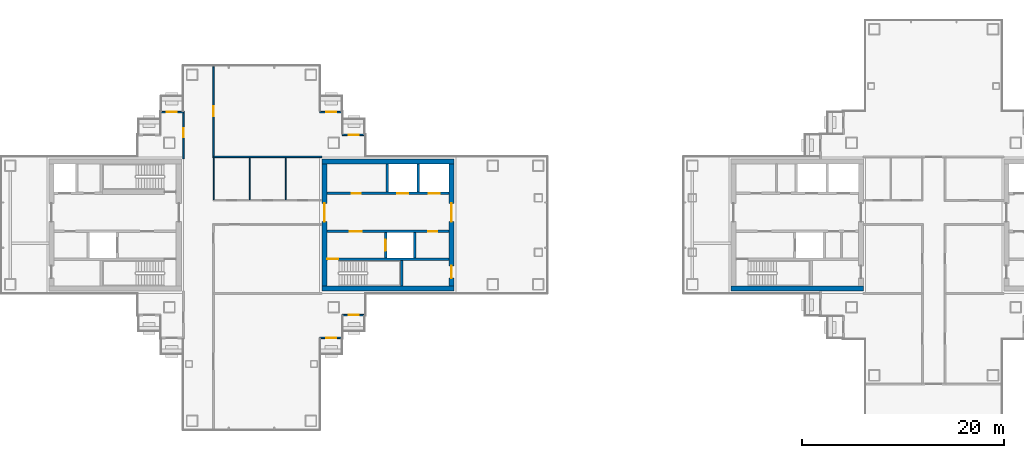
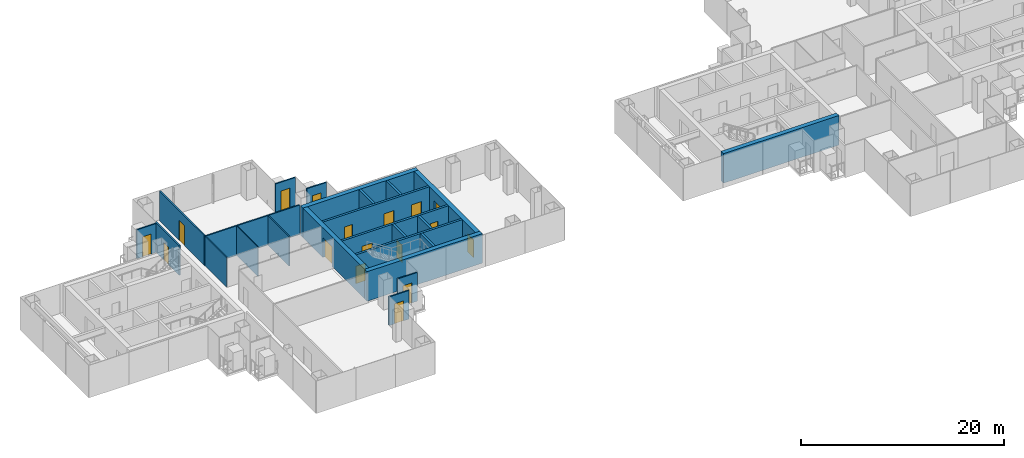
# One storey, part 10 of 17: 24 walls, 17 doors, 17 openings.
"""IFC4 building model written with IfcOpenShell, lengths in metres."""

from ifc_helpers import new_model, si_unit, direction, frame, frame_2d, origin, place, context, subcontext, project, spatial, rectangle, extrude, material, layer, layer_set, type_object, element, fill, save


model = new_model("IFC4")

# Units and contexts
model_context = context("Model", 3, precision=1e-05, world=origin(), true_north=direction((0.0, 1.0)))
body_context = subcontext(model_context, "Body", "Model", "MODEL_VIEW")
ifc_project = project(units=[si_unit("LENGTHUNIT", "METRE"), si_unit("AREAUNIT", "SQUARE_METRE"), si_unit("VOLUMEUNIT", "CUBIC_METRE"), si_unit("PLANEANGLEUNIT", "RADIAN"), si_unit("MASSUNIT", "GRAM", prefix="KILO")], contexts=[model_context])

# Site, building, storey
site_placement = place(None, origin())
site = spatial("IfcSite", under=ifc_project, at=site_placement, CompositionType="ELEMENT")
building_placement = place(site_placement, origin())
building = spatial("IfcBuilding", under=site, at=building_placement, Name="Shamsa Quay Exchange Towers", CompositionType="ELEMENT")
storey_placement = place(building_placement, frame((0.0, 0.0, 170.10009765625)))
storey = spatial("IfcBuildingStorey", under=building, at=storey_placement, Name="L40", CompositionType="ELEMENT", Elevation=170.10009765625)

# Wall, opening, door
ifc_material_1 = material(Name="Aluminium EN AW-6063 T6, black anodised, with black enamelled glass infill", Category="aluminium")
ifc_layer_1 = layer(ifc_material_1, 0.14990234375)
ifc_layer_set_1 = layer_set([ifc_layer_1], Name="BALCONY DOOR BAY WALL 150")
wall_type_1 = type_object("IfcWallType", Name="BALCONY DOOR BAY WALL 150", PredefinedType="SOLIDWALL", material=ifc_layer_set_1)
wall_1_placement = place(storey_placement, frame((-24.75, 8.925048828125, 0.0)))
wall_1 = element("IfcWall", 1, at=wall_1_placement, inside=storey, type_object=wall_type_1, Name="Door bay T1-PKEN L40", PredefinedType="SOLIDWALL", context=body_context, shape_type="SweptSolid", body=[
    extrude(rectangle(XDim=2.25, YDim=0.14990234375, at=frame_2d((1.125, 0.0))), origin(), (0.0, 0.0, 1.0), 3.449951171875),
])
opening_1_placement = place(wall_1_placement, frame((0.625, 0.0, 0.0)))
opening_1 = element("IfcOpeningElement", 2, at=opening_1_placement, cuts=wall_1, Name="Opening XD241", PredefinedType="OPENING", context=body_context, shape_type="SweptSolid", body=[
    extrude(rectangle(XDim=1.0, YDim=2.39990234375, at=frame_2d((0.5, 1.199951171875))), frame((0.0, 0.0849609375, 0.0), z_axis=(0.0, -1.0, 0.0), x_axis=(1.0, 0.0, 0.0)), (0.0, 0.0, 1.0), 0.169921875),
])
ifc_material_2 = material(Name="Aluminium EN AW-6063 T6, black anodised, with laminated glass leaf", Category="aluminium")
door_type_1 = type_object("IfcDoorType", Name="BALCONY DOOR 1000x2400", OperationType="SINGLE_SWING_LEFT", PredefinedType="DOOR", material=ifc_material_2)
door_1_placement = place(opening_1_placement, origin())
door_1 = element("IfcDoor", 3, at=door_1_placement, inside=storey, type_object=door_type_1, Name="Balcony door T1-PKEN L40", OperationType="SINGLE_SWING_RIGHT", OverallHeight=2.39990234375, OverallWidth=1.0, PredefinedType="DOOR", context=body_context, shape_type="SweptSolid", body=[
    extrude(rectangle(XDim=1.0, YDim=2.39990234375, at=frame_2d((0.5, 1.199951171875))), frame((0.0, 0.02490234375, 0.0), z_axis=(0.0, -1.0, 0.0), x_axis=(1.0, 0.0, 0.0)), (0.0, 0.0, 1.0), 0.050048828125),
])
fill(opening_1, door_1)

wall_2_placement = place(storey_placement, frame((-27.0, 11.175048828125, 0.0)))
wall_2 = element("IfcWall", 4, at=wall_2_placement, inside=storey, type_object=wall_type_1, Name="Door bay T1-PKEN L40", PredefinedType="SOLIDWALL", context=body_context, shape_type="SweptSolid", body=[
    extrude(rectangle(XDim=2.25, YDim=0.14990234375, at=frame_2d((1.125, 0.0))), origin(), (0.0, 0.0, 1.0), 3.449951171875),
])
opening_2_placement = place(wall_2_placement, frame((0.625, 0.0, 0.0)))
opening_2 = element("IfcOpeningElement", 5, at=opening_2_placement, cuts=wall_2, Name="Opening XD242", PredefinedType="OPENING", context=body_context, shape_type="SweptSolid", body=[
    extrude(rectangle(XDim=1.0, YDim=2.39990234375, at=frame_2d((0.5, 1.199951171875))), frame((0.0, 0.0849609375, 0.0), z_axis=(0.0, -1.0, 0.0), x_axis=(1.0, 0.0, 0.0)), (0.0, 0.0, 1.0), 0.169921875),
])
door_2_placement = place(opening_2_placement, origin())
door_2 = element("IfcDoor", 6, at=door_2_placement, inside=storey, type_object=door_type_1, Name="Balcony door T1-PKEN L40", OperationType="SINGLE_SWING_LEFT", OverallHeight=2.39990234375, OverallWidth=1.0, PredefinedType="DOOR", context=body_context, shape_type="SweptSolid", body=[
    extrude(rectangle(XDim=1.0, YDim=2.39990234375, at=frame_2d((0.5, 1.199951171875))), frame((0.0, 0.02490234375, 0.0), z_axis=(0.0, -1.0, 0.0), x_axis=(1.0, 0.0, 0.0)), (0.0, 0.0, 1.0), 0.050048828125),
])
fill(opening_2, door_2)

wall_3_placement = place(storey_placement, frame((-22.5, -8.925048828125, 0.0), z_axis=(0.0, 0.0, 1.0), x_axis=(-1.0, 0.0, 0.0)))
wall_3 = element("IfcWall", 7, at=wall_3_placement, inside=storey, type_object=wall_type_1, Name="Door bay T1-PKES L40", PredefinedType="SOLIDWALL", context=body_context, shape_type="SweptSolid", body=[
    extrude(rectangle(XDim=2.25, YDim=0.14990234375, at=frame_2d((1.125, 0.0))), origin(), (0.0, 0.0, 1.0), 3.449951171875),
])
opening_3_placement = place(wall_3_placement, frame((0.625, 0.0, 0.0)))
opening_3 = element("IfcOpeningElement", 8, at=opening_3_placement, cuts=wall_3, Name="Opening XD243", PredefinedType="OPENING", context=body_context, shape_type="SweptSolid", body=[
    extrude(rectangle(XDim=1.0, YDim=2.39990234375, at=frame_2d((0.5, 1.199951171875))), frame((0.0, 0.0849609375, 0.0), z_axis=(0.0, -1.0, 0.0), x_axis=(1.0, 0.0, 0.0)), (0.0, 0.0, 1.0), 0.169921875),
])
door_3_placement = place(opening_3_placement, origin())
door_3 = element("IfcDoor", 9, at=door_3_placement, inside=storey, type_object=door_type_1, Name="Balcony door T1-PKES L40", OperationType="SINGLE_SWING_RIGHT", OverallHeight=2.39990234375, OverallWidth=1.0, PredefinedType="DOOR", context=body_context, shape_type="SweptSolid", body=[
    extrude(rectangle(XDim=1.0, YDim=2.39990234375, at=frame_2d((0.5, 1.199951171875))), frame((0.0, 0.02490234375, 0.0), z_axis=(0.0, -1.0, 0.0), x_axis=(1.0, 0.0, 0.0)), (0.0, 0.0, 1.0), 0.050048828125),
])
fill(opening_3, door_3)

wall_4_placement = place(storey_placement, frame((-24.75, -11.175048828125, 0.0), z_axis=(0.0, 0.0, 1.0), x_axis=(-1.0, 0.0, 0.0)))
wall_4 = element("IfcWall", 10, at=wall_4_placement, inside=storey, type_object=wall_type_1, Name="Door bay T1-PKES L40", PredefinedType="SOLIDWALL", context=body_context, shape_type="SweptSolid", body=[
    extrude(rectangle(XDim=2.25, YDim=0.14990234375, at=frame_2d((1.125, 0.0))), origin(), (0.0, 0.0, 1.0), 3.449951171875),
])
opening_4_placement = place(wall_4_placement, frame((0.625, 0.0, 0.0)))
opening_4 = element("IfcOpeningElement", 11, at=opening_4_placement, cuts=wall_4, Name="Opening XD244", PredefinedType="OPENING", context=body_context, shape_type="SweptSolid", body=[
    extrude(rectangle(XDim=1.0, YDim=2.39990234375, at=frame_2d((0.5, 1.199951171875))), frame((0.0, 0.0849609375, 0.0), z_axis=(0.0, -1.0, 0.0), x_axis=(1.0, 0.0, 0.0)), (0.0, 0.0, 1.0), 0.169921875),
])
door_4_placement = place(opening_4_placement, origin())
door_4 = element("IfcDoor", 12, at=door_4_placement, inside=storey, type_object=door_type_1, Name="Balcony door T1-PKES L40", OperationType="SINGLE_SWING_LEFT", OverallHeight=2.39990234375, OverallWidth=1.0, PredefinedType="DOOR", context=body_context, shape_type="SweptSolid", body=[
    extrude(rectangle(XDim=1.0, YDim=2.39990234375, at=frame_2d((0.5, 1.199951171875))), frame((0.0, 0.02490234375, 0.0), z_axis=(0.0, -1.0, 0.0), x_axis=(1.0, 0.0, 0.0)), (0.0, 0.0, 1.0), 0.050048828125),
])
fill(opening_4, door_4)

wall_5_placement = place(storey_placement, frame((-42.75, 11.175048828125, 0.0)))
wall_5 = element("IfcWall", 13, at=wall_5_placement, inside=storey, type_object=wall_type_1, Name="Door bay T1-PKWN L40", PredefinedType="SOLIDWALL", context=body_context, shape_type="SweptSolid", body=[
    extrude(rectangle(XDim=2.25, YDim=0.14990234375, at=frame_2d((1.125, 0.0))), origin(), (0.0, 0.0, 1.0), 3.449951171875),
])
opening_5_placement = place(wall_5_placement, frame((0.625, 0.0, 0.0)))
opening_5 = element("IfcOpeningElement", 14, at=opening_5_placement, cuts=wall_5, Name="Opening XD245", PredefinedType="OPENING", context=body_context, shape_type="SweptSolid", body=[
    extrude(rectangle(XDim=1.0, YDim=2.39990234375, at=frame_2d((0.5, 1.199951171875))), frame((0.0, 0.0849609375, 0.0), z_axis=(0.0, -1.0, 0.0), x_axis=(1.0, 0.0, 0.0)), (0.0, 0.0, 1.0), 0.169921875),
])
door_5_placement = place(opening_5_placement, origin())
door_5 = element("IfcDoor", 15, at=door_5_placement, inside=storey, type_object=door_type_1, Name="Balcony door T1-PKWN L40", OperationType="SINGLE_SWING_LEFT", OverallHeight=2.39990234375, OverallWidth=1.0, PredefinedType="DOOR", context=body_context, shape_type="SweptSolid", body=[
    extrude(rectangle(XDim=1.0, YDim=2.39990234375, at=frame_2d((0.5, 1.199951171875))), frame((0.0, 0.02490234375, 0.0), z_axis=(0.0, -1.0, 0.0), x_axis=(1.0, 0.0, 0.0)), (0.0, 0.0, 1.0), 0.050048828125),
])
fill(opening_5, door_5)

# Walls
ifc_material_3 = material(Name="Concrete C60/75", Category="concrete")
ifc_layer_2 = layer(ifc_material_3, 0.5)
ifc_layer_set_2 = layer_set([ifc_layer_2], Name="CORE WALL 500 C60/75")
wall_type_2 = type_object("IfcWallType", Name="CORE WALL 500 C60/75", PredefinedType="SHEAR", material=ifc_layer_set_2)
for number, where, name in (
    (16, (-26.800048828125, -6.300048828125, 0.0), "Core wall T1A-R19-PS"),
    (17, (-26.800048828125, 6.300048828125, 0.0), "Core wall T1A-R19-PN"),
):
    element("IfcWall", number, at=place(storey_placement, frame(where)), inside=storey, type_object=wall_type_2, Name=name, PredefinedType="SHEAR", context=body_context, shape_type="SweptSolid", body=[
        extrude(rectangle(XDim=13.10009765625, YDim=0.5, at=frame_2d((6.550048828125, 0.0))), origin(), (0.0, 0.0, 1.0), 3.5498046875),
    ])

# Wall, opening, door
wall_6_placement = place(storey_placement, frame((-26.550048828125, 6.050048828125, 0.0), z_axis=(0.0, 0.0, 1.0), x_axis=(0.0, -1.0, 0.0)))
wall_6 = element("IfcWall", 18, at=wall_6_placement, inside=storey, type_object=wall_type_2, Name="Core wall T1A-R19-PF", PredefinedType="SHEAR", context=body_context, shape_type="SweptSolid", body=[
    extrude(rectangle(XDim=12.10009765625, YDim=0.5, at=frame_2d((6.050048828125, 0.0))), origin(), (0.0, 0.0, 1.0), 3.5498046875),
])
opening_6_placement = place(wall_6_placement, frame((3.89990234375, 0.0, 0.0)))
opening_6 = element("IfcOpeningElement", 19, at=opening_6_placement, cuts=wall_6, Name="Opening T1A-R19-LBD01", PredefinedType="OPENING", context=body_context, shape_type="SweptSolid", body=[
    extrude(rectangle(XDim=1.800048828125, YDim=2.39990234375, at=frame_2d((0.89990234375, 1.199951171875))), frame((0.0, 0.260009765625, 0.0), z_axis=(0.0, -1.0, 0.0), x_axis=(1.0, 0.0, 0.0)), (0.0, 0.0, 1.0), 0.52001953125),
])
ifc_material_4 = material(Name="Steel, fire rated", Category="steel")
door_type_2 = type_object("IfcDoorType", Name="LIFT LOBBY DOOR PAIR 1800", OperationType="DOUBLE_DOOR_SINGLE_SWING", PredefinedType="DOOR", material=ifc_material_4)
door_6_placement = place(opening_6_placement, origin())
door_6 = element("IfcDoor", 20, at=door_6_placement, inside=storey, type_object=door_type_2, Name="T1A-R19-LBD01", OperationType="DOUBLE_DOOR_SINGLE_SWING", OverallHeight=2.39990234375, OverallWidth=1.800048828125, PredefinedType="DOOR", context=body_context, shape_type="SweptSolid", body=[
    extrude(rectangle(XDim=1.800048828125, YDim=2.39990234375, at=frame_2d((0.89990234375, 1.199951171875))), frame((0.0, 0.02490234375, 0.0), z_axis=(0.0, -1.0, 0.0), x_axis=(1.0, 0.0, 0.0)), (0.0, 0.0, 1.0), 0.050048828125),
])
fill(opening_6, door_6)

# Wall, openings, doors
wall_7_placement = place(storey_placement, frame((-13.949951171875, 6.050048828125, 0.0), z_axis=(0.0, 0.0, 1.0), x_axis=(0.0, -1.0, 0.0)))
wall_7 = element("IfcWall", 21, at=wall_7_placement, inside=storey, type_object=wall_type_2, Name="Core wall T1A-R19-PB", PredefinedType="SHEAR", context=body_context, shape_type="SweptSolid", body=[
    extrude(rectangle(XDim=12.10009765625, YDim=0.5, at=frame_2d((6.050048828125, 0.0))), origin(), (0.0, 0.0, 1.0), 3.5498046875),
])
opening_7_placement = place(wall_7_placement, frame((10.10009765625, 0.0, 0.0)))
opening_7 = element("IfcOpeningElement", 22, at=opening_7_placement, cuts=wall_7, Name="Opening T1A-R19-RD02", PredefinedType="OPENING", context=body_context, shape_type="SweptSolid", body=[
    extrude(rectangle(XDim=1.199951171875, YDim=2.10009765625, at=frame_2d((0.60009765625, 1.050048828125))), frame((0.0, 0.260009765625, 0.0), z_axis=(0.0, -1.0, 0.0), x_axis=(1.0, 0.0, 0.0)), (0.0, 0.0, 1.0), 0.52001953125),
])
opening_8_placement = place(wall_7_placement, frame((3.89990234375, 0.0, 0.0)))
opening_8 = element("IfcOpeningElement", 23, at=opening_8_placement, cuts=wall_7, Name="Opening T1A-R19-LBD03", PredefinedType="OPENING", context=body_context, shape_type="SweptSolid", body=[
    extrude(rectangle(XDim=1.800048828125, YDim=2.39990234375, at=frame_2d((0.89990234375, 1.199951171875))), frame((0.0, 0.260009765625, 0.0), z_axis=(0.0, -1.0, 0.0), x_axis=(1.0, 0.0, 0.0)), (0.0, 0.0, 1.0), 0.52001953125),
])
door_7_placement = place(opening_8_placement, origin())
door_7 = element("IfcDoor", 24, at=door_7_placement, inside=storey, type_object=door_type_2, Name="T1A-R19-LBD03", OperationType="DOUBLE_DOOR_SINGLE_SWING", OverallHeight=2.39990234375, OverallWidth=1.800048828125, PredefinedType="DOOR", context=body_context, shape_type="SweptSolid", body=[
    extrude(rectangle(XDim=1.800048828125, YDim=2.39990234375, at=frame_2d((0.89990234375, 1.199951171875))), frame((0.0, 0.02490234375, 0.0), z_axis=(0.0, -1.0, 0.0), x_axis=(1.0, 0.0, 0.0)), (0.0, 0.0, 1.0), 0.050048828125),
])
fill(opening_8, door_7)
door_type_3 = type_object("IfcDoorType", Name="RISER ACCESS DOOR 1200", OperationType="SINGLE_SWING_LEFT", PredefinedType="DOOR", material=ifc_material_4)
door_8_placement = place(opening_7_placement, origin())
door_8 = element("IfcDoor", 25, at=door_8_placement, inside=storey, type_object=door_type_3, Name="T1A-R19-RD02", OperationType="SINGLE_SWING_RIGHT", OverallHeight=2.10009765625, OverallWidth=1.199951171875, PredefinedType="DOOR", context=body_context, shape_type="SweptSolid", body=[
    extrude(rectangle(XDim=1.199951171875, YDim=2.10009765625, at=frame_2d((0.60009765625, 1.050048828125))), frame((0.0, 0.02490234375, 0.0), z_axis=(0.0, -1.0, 0.0), x_axis=(1.0, 0.0, 0.0)), (0.0, 0.0, 1.0), 0.050048828125),
])
fill(opening_7, door_8)

# Walls
wall_8_placement = place(storey_placement, frame((13.699951171875, -6.300048828125, 0.0)))
element("IfcWall", 26, at=wall_8_placement, inside=storey, type_object=wall_type_2, Name="Core wall T2A-R19-PS", PredefinedType="SHEAR", context=body_context, shape_type="SweptSolid", body=[
    extrude(rectangle(XDim=13.10009765625, YDim=0.5, at=frame_2d((6.550048828125, 0.0))), origin(), (0.0, 0.0, 1.0), 3.5498046875),
])
ifc_material_5 = material(Name="Gypsum board partition on metal studs")
ifc_layer_3 = layer(ifc_material_5, 0.10009765625)
ifc_layer_set_3 = layer_set([ifc_layer_3], Name="Partition 100 mm NOT RATED")
wall_type_3 = type_object("IfcWallType", Name="Partition 100 mm NOT RATED", PredefinedType="PARTITIONING", material=ifc_layer_set_3)
for number, where, z_axis, x_axis, name in (
    (27, (-37.5, 6.675048828125, 0.0), (0.0, 0.0, 1.0), (0.0, -1.0, 0.0), "Partition T1-R19-W03"),
    (28, (-33.9375, 2.500244140625, 0.0), (0.0, 0.0, 1.0), (0.0, 1.0, 0.0), "Partition T1-R19-W10"),
    (29, (-30.375, 2.500244140625, 0.0), (0.0, 0.0, 1.0), (0.0, 1.0, 0.0), "Partition T1-R19-W11"),
):
    element("IfcWall", number, at=place(storey_placement, frame(where, z_axis=z_axis, x_axis=x_axis)), inside=storey, type_object=wall_type_3, Name=name, PredefinedType="PARTITIONING", context=body_context, shape_type="SweptSolid", body=[
        extrude(rectangle(XDim=4.1748046875, YDim=0.10009765625, at=frame_2d((2.08740234375, 0.0))), origin(), (0.0, 0.0, 1.0), 3.5498046875),
    ])

# Wall, opening, door
ifc_layer_4 = layer(ifc_material_5, 0.14990234375)
ifc_layer_set_4 = layer_set([ifc_layer_4], Name="Partition 150 mm EI 60")
wall_type_4 = type_object("IfcWallType", Name="Partition 150 mm EI 60", PredefinedType="PARTITIONING", material=ifc_layer_set_4)
wall_9_placement = place(storey_placement, frame((-37.5, 15.655029296875, 0.0), z_axis=(0.0, 0.0, 1.0), x_axis=(0.0, -1.0, 0.0)))
wall_9 = element("IfcWall", 30, at=wall_9_placement, inside=storey, type_object=wall_type_4, Name="Partition T1-R19-W01", PredefinedType="PARTITIONING", context=body_context, shape_type="SweptSolid", body=[
    extrude(rectangle(XDim=8.830078125, YDim=0.14990234375, at=frame_2d((4.4150390625, 0.0))), origin(), (0.0, 0.0, 1.0), 3.5498046875),
])
opening_9_placement = place(wall_9_placement, frame((3.905029296875, 0.0, 0.0)))
opening_9 = element("IfcOpeningElement", 31, at=opening_9_placement, cuts=wall_9, Name="Opening T1-R19-D09", PredefinedType="OPENING", context=body_context, shape_type="SweptSolid", body=[
    extrude(rectangle(XDim=1.0, YDim=2.39990234375, at=frame_2d((0.5, 1.199951171875))), frame((0.0, 0.0849609375, 0.0), z_axis=(0.0, -1.0, 0.0), x_axis=(1.0, 0.0, 0.0)), (0.0, 0.0, 1.0), 0.169921875),
])
ifc_material_6 = material(Name="Timber door leaf in a metal frame", Category="wood")
door_type_4 = type_object("IfcDoorType", Name="Door 1000x2400 FD30S", OperationType="NOTDEFINED", PredefinedType="DOOR", material=ifc_material_6)
door_9_placement = place(opening_9_placement, origin())
door_9 = element("IfcDoor", 32, at=door_9_placement, inside=storey, type_object=door_type_4, Name="Door T1-R19-D09", OperationType="SINGLE_SWING_RIGHT", OverallHeight=2.39990234375, OverallWidth=1.0, PredefinedType="DOOR", context=body_context, shape_type="SweptSolid", body=[
    extrude(rectangle(XDim=1.0, YDim=2.39990234375, at=frame_2d((0.5, 1.199951171875))), frame((0.0, 0.02490234375, 0.0), z_axis=(0.0, -1.0, 0.0), x_axis=(1.0, 0.0, 0.0)), (0.0, 0.0, 1.0), 0.050048828125),
])
fill(opening_9, door_9)

wall_10_placement = place(storey_placement, frame((-40.5, 6.550048828125, 0.0), z_axis=(0.0, 0.0, 1.0), x_axis=(0.0, 1.0, 0.0)))
wall_10 = element("IfcWall", 33, at=wall_10_placement, inside=storey, type_object=wall_type_4, Name="Partition T1-R19-W08", PredefinedType="PARTITIONING", context=body_context, shape_type="SweptSolid", body=[
    extrude(rectangle(XDim=4.699951171875, YDim=0.14990234375, at=frame_2d((2.35009765625, 0.0))), origin(), (0.0, 0.0, 1.0), 3.5498046875),
])
opening_10_placement = place(wall_10_placement, frame((2.14990234375, 0.0, 0.0)))
opening_10 = element("IfcOpeningElement", 34, at=opening_10_placement, cuts=wall_10, Name="Opening T1-R19-D02", PredefinedType="OPENING", context=body_context, shape_type="SweptSolid", body=[
    extrude(rectangle(XDim=0.89990234375, YDim=2.10009765625, at=frame_2d((0.449951171875, 1.050048828125))), frame((0.0, 0.0849609375, 0.0), z_axis=(0.0, -1.0, 0.0), x_axis=(1.0, 0.0, 0.0)), (0.0, 0.0, 1.0), 0.169921875),
])
door_type_5 = type_object("IfcDoorType", Name="Door 900x2100 FD30S", OperationType="NOTDEFINED", PredefinedType="DOOR", material=ifc_material_6)
door_10_placement = place(opening_10_placement, origin())
door_10 = element("IfcDoor", 35, at=door_10_placement, inside=storey, type_object=door_type_5, Name="Door T1-R19-D02", OperationType="SINGLE_SWING_RIGHT", OverallHeight=2.10009765625, OverallWidth=0.89990234375, PredefinedType="DOOR", context=body_context, shape_type="SweptSolid", body=[
    extrude(rectangle(XDim=0.89990234375, YDim=2.10009765625, at=frame_2d((0.449951171875, 1.050048828125))), frame((0.0, 0.02490234375, 0.0), z_axis=(0.0, -1.0, 0.0), x_axis=(1.0, 0.0, 0.0)), (0.0, 0.0, 1.0), 0.050048828125),
])
fill(opening_10, door_10)

# Wall
wall_11_placement = place(storey_placement, frame((-37.574951171875, 6.75, 0.0)))
element("IfcWall", 36, at=wall_11_placement, inside=storey, type_object=wall_type_4, Name="Partition T1-R19-W09", PredefinedType="PARTITIONING", context=body_context, shape_type="SweptSolid", body=[
    extrude(rectangle(XDim=10.77490234375, YDim=0.14990234375, at=frame_2d((5.387451171875, 0.0))), origin(), (0.0, 0.0, 1.0), 3.5498046875),
])

# Wall, opening, door
ifc_material_7 = material(Name="Concrete C50/60", Category="concrete")
ifc_layer_5 = layer(ifc_material_7, 0.25)
ifc_layer_set_5 = layer_set([ifc_layer_5], Name="SHAFT WALL 250 C50/60")
wall_type_5 = type_object("IfcWallType", Name="SHAFT WALL 250 C50/60", PredefinedType="SHEAR", material=ifc_layer_set_5)
wall_12_placement = place(storey_placement, frame((-14.199951171875, -3.375, 0.0), z_axis=(0.0, 0.0, 1.0), x_axis=(-1.0, 0.0, 0.0)))
wall_12 = element("IfcWall", 37, at=wall_12_placement, inside=storey, type_object=wall_type_5, Name="Shaft wall T1A-R19-STL", PredefinedType="SHEAR", context=body_context, shape_type="SweptSolid", body=[
    extrude(rectangle(XDim=12.10009765625, YDim=0.25, at=frame_2d((6.050048828125, 0.0))), origin(), (0.0, 0.0, 1.0), 3.5498046875),
])
opening_11_placement = place(wall_12_placement, frame((10.949951171875, 0.0, 0.0)))
opening_11 = element("IfcOpeningElement", 38, at=opening_11_placement, cuts=wall_12, Name="Opening T1A-R19-SD04", PredefinedType="OPENING", context=body_context, shape_type="SweptSolid", body=[
    extrude(rectangle(XDim=1.10009765625, YDim=2.10009765625, at=frame_2d((0.550048828125, 1.050048828125))), frame((0.0, 0.135009765625, 0.0), z_axis=(0.0, -1.0, 0.0), x_axis=(1.0, 0.0, 0.0)), (0.0, 0.0, 1.0), 0.27001953125),
])
door_type_6 = type_object("IfcDoorType", Name="STAIR DOOR 1100", OperationType="SINGLE_SWING_LEFT", PredefinedType="DOOR", material=ifc_material_4)
door_11_placement = place(opening_11_placement, origin())
door_11 = element("IfcDoor", 39, at=door_11_placement, inside=storey, type_object=door_type_6, Name="T1A-R19-SD04", OperationType="SINGLE_SWING_RIGHT", OverallHeight=2.10009765625, OverallWidth=1.10009765625, PredefinedType="DOOR", context=body_context, shape_type="SweptSolid", body=[
    extrude(rectangle(XDim=1.10009765625, YDim=2.10009765625, at=frame_2d((0.550048828125, 1.050048828125))), frame((0.0, 0.02490234375, 0.0), z_axis=(0.0, -1.0, 0.0), x_axis=(1.0, 0.0, 0.0)), (0.0, 0.0, 1.0), 0.050048828125),
])
fill(opening_11, door_11)

# Wall
wall_13_placement = place(storey_placement, frame((-18.875, -6.050048828125, 0.0), z_axis=(0.0, 0.0, 1.0), x_axis=(0.0, 1.0, 0.0)))
element("IfcWall", 40, at=wall_13_placement, inside=storey, type_object=wall_type_5, Name="Shaft wall T1A-R19-STF", PredefinedType="SHEAR", context=body_context, shape_type="SweptSolid", body=[
    extrude(rectangle(XDim=2.550048828125, YDim=0.25, at=frame_2d((1.27490234375, 0.0))), origin(), (0.0, 0.0, 1.0), 3.5498046875),
])

# Wall, openings, doors
wall_14_placement = place(storey_placement, frame((-14.199951171875, -0.625, 0.0), z_axis=(0.0, 0.0, 1.0), x_axis=(-1.0, 0.0, 0.0)))
wall_14 = element("IfcWall", 41, at=wall_14_placement, inside=storey, type_object=wall_type_5, Name="Shaft wall T1A-R19-B", PredefinedType="SHEAR", context=body_context, shape_type="SweptSolid", body=[
    extrude(rectangle(XDim=12.10009765625, YDim=0.25, at=frame_2d((6.050048828125, 0.0))), origin(), (0.0, 0.0, 1.0), 3.5498046875),
])
opening_12_placement = place(wall_14_placement, frame((8.64990234375, 0.0, 0.0)))
opening_12 = element("IfcOpeningElement", 42, at=opening_12_placement, cuts=wall_14, Name="Opening T1A-R19-FD05", PredefinedType="OPENING", context=body_context, shape_type="SweptSolid", body=[
    extrude(rectangle(XDim=1.199951171875, YDim=2.10009765625, at=frame_2d((0.60009765625, 1.050048828125))), frame((0.0, 0.135009765625, 0.0), z_axis=(0.0, -1.0, 0.0), x_axis=(1.0, 0.0, 0.0)), (0.0, 0.0, 1.0), 0.27001953125),
])
opening_13_placement = place(wall_14_placement, frame((1.175048828125, 0.0, 0.0)))
opening_13 = element("IfcOpeningElement", 43, at=opening_13_placement, cuts=wall_14, Name="Opening T1A-R19-SV06", PredefinedType="OPENING", context=body_context, shape_type="SweptSolid", body=[
    extrude(rectangle(XDim=0.89990234375, YDim=2.10009765625, at=frame_2d((0.449951171875, 1.050048828125))), frame((0.0, 0.135009765625, 0.0), z_axis=(0.0, -1.0, 0.0), x_axis=(1.0, 0.0, 0.0)), (0.0, 0.0, 1.0), 0.27001953125),
])
door_type_7 = type_object("IfcDoorType", Name="FIRE SERVICE LOBBY DOOR 1200", OperationType="SINGLE_SWING_LEFT", PredefinedType="DOOR", material=ifc_material_4)
door_12_placement = place(opening_12_placement, origin())
door_12 = element("IfcDoor", 44, at=door_12_placement, inside=storey, type_object=door_type_7, Name="T1A-R19-FD05", OperationType="SINGLE_SWING_RIGHT", OverallHeight=2.10009765625, OverallWidth=1.199951171875, PredefinedType="DOOR", context=body_context, shape_type="SweptSolid", body=[
    extrude(rectangle(XDim=1.199951171875, YDim=2.10009765625, at=frame_2d((0.60009765625, 1.050048828125))), frame((0.0, 0.02490234375, 0.0), z_axis=(0.0, -1.0, 0.0), x_axis=(1.0, 0.0, 0.0)), (0.0, 0.0, 1.0), 0.050048828125),
])
fill(opening_12, door_12)
door_type_8 = type_object("IfcDoorType", Name="SERVICE ROOM DOOR 900", OperationType="SINGLE_SWING_LEFT", PredefinedType="DOOR", material=ifc_material_4)
door_13_placement = place(opening_13_placement, origin())
door_13 = element("IfcDoor", 45, at=door_13_placement, inside=storey, type_object=door_type_8, Name="T1A-R19-SV06", OperationType="SINGLE_SWING_LEFT", OverallHeight=2.10009765625, OverallWidth=0.89990234375, PredefinedType="DOOR", context=body_context, shape_type="SweptSolid", body=[
    extrude(rectangle(XDim=0.89990234375, YDim=2.10009765625, at=frame_2d((0.449951171875, 1.050048828125))), frame((0.0, 0.02490234375, 0.0), z_axis=(0.0, -1.0, 0.0), x_axis=(1.0, 0.0, 0.0)), (0.0, 0.0, 1.0), 0.050048828125),
])
fill(opening_13, door_13)

# Wall, opening, door
wall_15_placement = place(storey_placement, frame((-20.47509765625, -3.25, 0.0), z_axis=(0.0, 0.0, 1.0), x_axis=(0.0, 1.0, 0.0)))
wall_15 = element("IfcWall", 46, at=wall_15_placement, inside=storey, type_object=wall_type_5, Name="Shaft wall T1A-R19-FFF", PredefinedType="SHEAR", context=body_context, shape_type="SweptSolid", body=[
    extrude(rectangle(XDim=2.5, YDim=0.25, at=frame_2d((1.25, 0.0))), origin(), (0.0, 0.0, 1.0), 3.5498046875),
])
opening_14_placement = place(wall_15_placement, frame((0.699951171875, 0.0, 0.0)))
opening_14 = element("IfcOpeningElement", 47, at=opening_14_placement, cuts=wall_15, Name="Opening T1A-R19-LDF07", PredefinedType="OPENING", context=body_context, shape_type="SweptSolid", body=[
    extrude(rectangle(XDim=1.10009765625, YDim=2.10009765625, at=frame_2d((0.550048828125, 1.050048828125))), frame((0.0, 0.135009765625, 0.0), z_axis=(0.0, -1.0, 0.0), x_axis=(1.0, 0.0, 0.0)), (0.0, 0.0, 1.0), 0.27001953125),
])
door_type_9 = type_object("IfcDoorType", Name="FIRE SERVICE LANDING DOOR 1100", OperationType="SLIDING_TO_LEFT", PredefinedType="DOOR", material=ifc_material_4)
door_14_placement = place(opening_14_placement, origin())
door_14 = element("IfcDoor", 48, at=door_14_placement, inside=storey, type_object=door_type_9, Name="T1A-R19-LDF07", OperationType="SLIDING_TO_LEFT", OverallHeight=2.10009765625, OverallWidth=1.10009765625, PredefinedType="DOOR", context=body_context, shape_type="SweptSolid", body=[
    extrude(rectangle(XDim=1.10009765625, YDim=2.10009765625, at=frame_2d((0.550048828125, 1.050048828125))), frame((0.0, 0.02490234375, 0.0), z_axis=(0.0, -1.0, 0.0), x_axis=(1.0, 0.0, 0.0)), (0.0, 0.0, 1.0), 0.050048828125),
])
fill(opening_14, door_14)

# Wall
wall_16_placement = place(storey_placement, frame((-17.574951171875, -3.25, 0.0), z_axis=(0.0, 0.0, 1.0), x_axis=(0.0, 1.0, 0.0)))
element("IfcWall", 49, at=wall_16_placement, inside=storey, type_object=wall_type_5, Name="Shaft wall T1A-R19-FFB", PredefinedType="SHEAR", context=body_context, shape_type="SweptSolid", body=[
    extrude(rectangle(XDim=2.5, YDim=0.25, at=frame_2d((1.25, 0.0))), origin(), (0.0, 0.0, 1.0), 3.5498046875),
])

# Wall, openings, doors
wall_17_placement = place(storey_placement, frame((-26.300048828125, 3.125, 0.0)))
wall_17 = element("IfcWall", 50, at=wall_17_placement, inside=storey, type_object=wall_type_5, Name="Shaft wall T1A-R19-N", PredefinedType="SHEAR", context=body_context, shape_type="SweptSolid", body=[
    extrude(rectangle(XDim=12.10009765625, YDim=0.25, at=frame_2d((6.050048828125, 0.0))), origin(), (0.0, 0.0, 1.0), 3.5498046875),
])
opening_15_placement = place(wall_17_placement, frame((6.949951171875, 0.0, 0.0)))
opening_15 = element("IfcOpeningElement", 51, at=opening_15_placement, cuts=wall_17, Name="Opening T1A-R19-LD08", PredefinedType="OPENING", context=body_context, shape_type="SweptSolid", body=[
    extrude(rectangle(XDim=1.10009765625, YDim=2.10009765625, at=frame_2d((0.550048828125, 1.050048828125))), frame((0.0, 0.135009765625, 0.0), z_axis=(0.0, -1.0, 0.0), x_axis=(1.0, 0.0, 0.0)), (0.0, 0.0, 1.0), 0.27001953125),
])
opening_16_placement = place(wall_17_placement, frame((10.074951171875, 0.0, 0.0)))
opening_16 = element("IfcOpeningElement", 52, at=opening_16_placement, cuts=wall_17, Name="Opening T1A-R19-LD09", PredefinedType="OPENING", context=body_context, shape_type="SweptSolid", body=[
    extrude(rectangle(XDim=1.10009765625, YDim=2.10009765625, at=frame_2d((0.550048828125, 1.050048828125))), frame((0.0, 0.135009765625, 0.0), z_axis=(0.0, -1.0, 0.0), x_axis=(1.0, 0.0, 0.0)), (0.0, 0.0, 1.0), 0.27001953125),
])
opening_17_placement = place(wall_17_placement, frame((2.47509765625, 0.0, 0.0)))
opening_17 = element("IfcOpeningElement", 53, at=opening_17_placement, cuts=wall_17, Name="Opening T1A-R19-SV10", PredefinedType="OPENING", context=body_context, shape_type="SweptSolid", body=[
    extrude(rectangle(XDim=0.89990234375, YDim=2.10009765625, at=frame_2d((0.449951171875, 1.050048828125))), frame((0.0, 0.135009765625, 0.0), z_axis=(0.0, -1.0, 0.0), x_axis=(1.0, 0.0, 0.0)), (0.0, 0.0, 1.0), 0.27001953125),
])
door_type_10 = type_object("IfcDoorType", Name="LANDING DOOR 1100", OperationType="SLIDING_TO_LEFT", PredefinedType="DOOR", material=ifc_material_4)
door_15_placement = place(opening_15_placement, origin())
door_15 = element("IfcDoor", 54, at=door_15_placement, inside=storey, type_object=door_type_10, Name="T1A-R19-LD08", OperationType="SLIDING_TO_LEFT", OverallHeight=2.10009765625, OverallWidth=1.10009765625, PredefinedType="DOOR", context=body_context, shape_type="SweptSolid", body=[
    extrude(rectangle(XDim=1.10009765625, YDim=2.10009765625, at=frame_2d((0.550048828125, 1.050048828125))), frame((0.0, 0.02490234375, 0.0), z_axis=(0.0, -1.0, 0.0), x_axis=(1.0, 0.0, 0.0)), (0.0, 0.0, 1.0), 0.050048828125),
])
fill(opening_15, door_15)
door_16_placement = place(opening_16_placement, origin())
door_16 = element("IfcDoor", 55, at=door_16_placement, inside=storey, type_object=door_type_10, Name="T1A-R19-LD09", OperationType="SLIDING_TO_LEFT", OverallHeight=2.10009765625, OverallWidth=1.10009765625, PredefinedType="DOOR", context=body_context, shape_type="SweptSolid", body=[
    extrude(rectangle(XDim=1.10009765625, YDim=2.10009765625, at=frame_2d((0.550048828125, 1.050048828125))), frame((0.0, 0.02490234375, 0.0), z_axis=(0.0, -1.0, 0.0), x_axis=(1.0, 0.0, 0.0)), (0.0, 0.0, 1.0), 0.050048828125),
])
fill(opening_16, door_16)
door_17_placement = place(opening_17_placement, origin())
door_17 = element("IfcDoor", 56, at=door_17_placement, inside=storey, type_object=door_type_8, Name="T1A-R19-SV10", OperationType="SINGLE_SWING_LEFT", OverallHeight=2.10009765625, OverallWidth=0.89990234375, PredefinedType="DOOR", context=body_context, shape_type="SweptSolid", body=[
    extrude(rectangle(XDim=0.89990234375, YDim=2.10009765625, at=frame_2d((0.449951171875, 1.050048828125))), frame((0.0, 0.02490234375, 0.0), z_axis=(0.0, -1.0, 0.0), x_axis=(1.0, 0.0, 0.0)), (0.0, 0.0, 1.0), 0.050048828125),
])
fill(opening_17, door_17)

# Walls
for number, where, z_axis, x_axis, name in (
    (57, (-20.324951171875, 3.25, 0.0), (0.0, 0.0, 1.0), (0.0, 1.0, 0.0), "Shaft wall T1A-R19-D1"),
    (58, (-17.27490234375, 3.25, 0.0), (0.0, 0.0, 1.0), (0.0, 1.0, 0.0), "Shaft wall T1A-R19-D2"),
):
    element("IfcWall", number, at=place(storey_placement, frame(where, z_axis=z_axis, x_axis=x_axis)), inside=storey, type_object=wall_type_5, Name=name, PredefinedType="SHEAR", context=body_context, shape_type="SweptSolid", body=[
        extrude(rectangle(XDim=2.800048828125, YDim=0.25, at=frame_2d((1.39990234375, 0.0))), origin(), (0.0, 0.0, 1.0), 3.5498046875),
    ])

save(model, "model.ifc")
